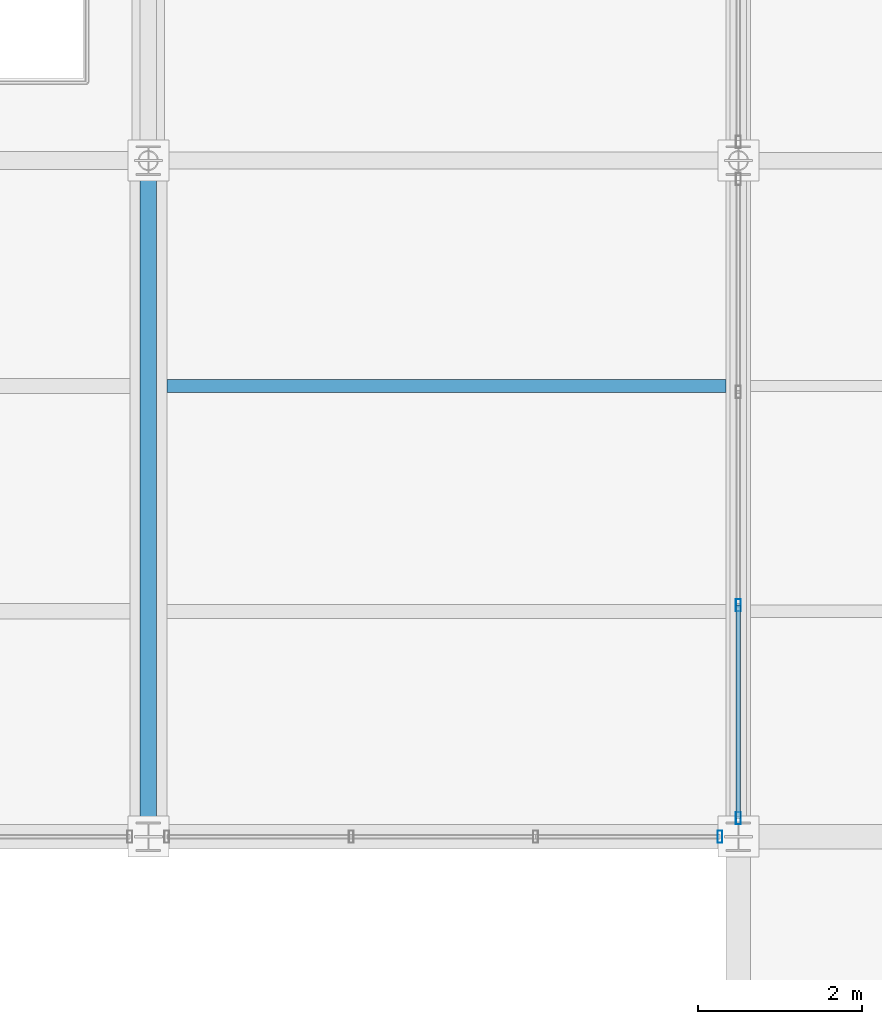
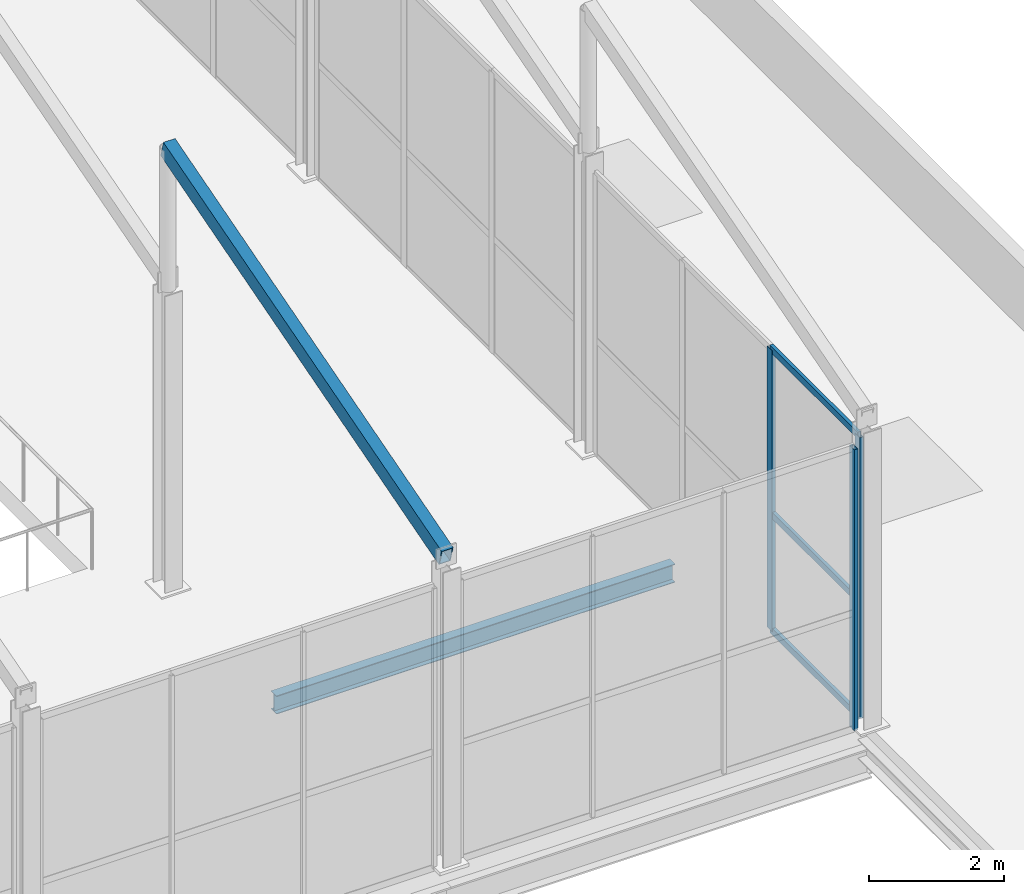
# One storey, part 63 of 141: 7 members, 1 beam, 2 elements without a shape of their own.
"""IFC4 building model written with IfcOpenShell, lengths in metres."""

from ifc_helpers import new_model, si_unit, direction, frame, origin, origin_2d, place, context, subcontext, project, spatial, hollow_rectangle, i_section, extrude, material, layer, layer_set, material_profile, profile_set, type_object, element, aggregate, save


model = new_model("IFC4")

# Units and contexts
model_context = context("Model", 3, precision=1e-05, world=origin(), true_north=direction((0.0, 1.0)))
body_context = subcontext(model_context, "Body", "Model", "MODEL_VIEW")
ifc_project = project(units=[si_unit("LENGTHUNIT", "METRE"), si_unit("AREAUNIT", "SQUARE_METRE"), si_unit("VOLUMEUNIT", "CUBIC_METRE"), si_unit("PLANEANGLEUNIT", "RADIAN"), si_unit("MASSUNIT", "GRAM", prefix="KILO")], contexts=[model_context])

# Site, building, storey
site_placement = place(None, origin())
site = spatial("IfcSite", under=ifc_project, at=site_placement, CompositionType="ELEMENT")
building_placement = place(site_placement, origin())
building = spatial("IfcBuilding", under=site, at=building_placement, Name="Sundgate Opera House", CompositionType="ELEMENT")
storey_placement = place(building_placement, frame((0.0, 0.0, 11.39990234375)))
storey = spatial("IfcBuildingStorey", under=building, at=storey_placement, Name="L02", CompositionType="ELEMENT", Elevation=11.39990234375)

# Beam
ifc_material_1 = material(Name="Steel S355J2", Category="steel")
ifc_material_profile_1 = material_profile(ifc_material_1, i_section(OverallWidth=0.159912109375, OverallDepth=0.330078125, WebThickness=0.007568359375, FlangeThickness=0.011474609375, at=origin_2d()), Name="IPE 330")
ifc_profile_set_1 = profile_set([ifc_material_profile_1], Name="Steel S355J2")
beam_type = type_object("IfcBeamType", Name="BM-JS-IPE330", PredefinedType="JOIST", material=ifc_profile_set_1)
beam_placement = place(storey_placement, frame((146.02490234375, 13.75, -0.514892578125), z_axis=(1.0, 0.0, 0.0), x_axis=(0.0, 1.0, 0.0)))
element("IfcBeam", 1, at=beam_placement, inside=storey, type_object=beam_type, Name="L02 Secondary Floor Joist B2160", PredefinedType="JOIST", context=body_context, shape_type="SweptSolid", body=[
    extrude(i_section(OverallWidth=0.159912109375, OverallDepth=0.330078125, WebThickness=0.007568359375, FlangeThickness=0.011474609375, at=origin_2d()), origin(), (0.0, 0.0, 1.0), 6.8251953125),
])

# Curtain wall, member
ifc_material_2 = material(Name="Anodized aluminium and low-iron glass", Category="aluminium")
ifc_layer = layer(ifc_material_2, 0.14990234375)
ifc_layer_set = layer_set([ifc_layer], Name="Anodized aluminium and low-iron glass")
curtain_wall_type = type_object("IfcCurtainWallType", Name="CW-WORKSHOP-DARK", PredefinedType="NOTDEFINED", material=ifc_layer_set)
curtain_wall_1_placement = place(storey_placement, origin())
curtain_wall_1 = element("IfcCurtainWall", 2, at=curtain_wall_1_placement, inside=storey, type_object=curtain_wall_type, Name="L02 Curtain Wall CW161", PredefinedType="NOTDEFINED")
ifc_material_3 = material(Name="Anodized aluminium EN AW-6063", Category="aluminium")
ifc_material_profile_2 = material_profile(ifc_material_3, hollow_rectangle(XDim=0.06005859375, YDim=0.14990234375, WallThickness=0.00390625, at=origin_2d()), Name="CWM 150x60x4")
ifc_profile_set_2 = profile_set([ifc_material_profile_2], Name="Anodized aluminium EN AW-6063")
member_type_1 = type_object("IfcMemberType", Name="CWM-ALU-150x60", PredefinedType="MULLION", material=ifc_profile_set_2)
member_1_placement = place(storey_placement, frame((152.77490234375, 8.25, 0.0), z_axis=(0.0, 0.0, 1.0), x_axis=(1.0, 0.0, 0.0)))
member_1 = element("IfcMember", 3, at=member_1_placement, type_object=member_type_1, Name="CW161 Mullion 1", PredefinedType="MULLION", context=body_context, shape_type="SweptSolid", body=[
    extrude(hollow_rectangle(XDim=0.06005859375, YDim=0.14990234375, WallThickness=0.00390625, at=origin_2d()), origin(), (0.0, 0.0, 1.0), 5.085205078125),
])
aggregate(curtain_wall_1, [member_1])

# Curtain wall, members
curtain_wall_2_placement = place(storey_placement, origin())
curtain_wall_2 = element("IfcCurtainWall", 4, at=curtain_wall_2_placement, inside=storey, type_object=curtain_wall_type, Name="L02 Curtain Wall CW165", PredefinedType="NOTDEFINED")
member_2_placement = place(storey_placement, frame((153.0, 8.47509765625, 0.0), z_axis=(0.0, 0.0, 1.0), x_axis=(1.0, 0.0, 0.0)))
member_2 = element("IfcMember", 5, at=member_2_placement, type_object=member_type_1, Name="CW165 Mullion 1", PredefinedType="MULLION", context=body_context, shape_type="SweptSolid", body=[
    extrude(hollow_rectangle(XDim=0.06005859375, YDim=0.14990234375, WallThickness=0.00390625, at=origin_2d()), origin(), (0.0, 0.0, 1.0), 5.085205078125),
])
member_3_placement = place(storey_placement, frame((153.0, 11.074951171875, 0.0), z_axis=(0.0, 0.0, 1.0), x_axis=(1.0, 0.0, 0.0)))
member_3 = element("IfcMember", 6, at=member_3_placement, type_object=member_type_1, Name="CW165 Mullion 2", PredefinedType="MULLION", context=body_context, shape_type="SweptSolid", body=[
    extrude(hollow_rectangle(XDim=0.06005859375, YDim=0.14990234375, WallThickness=0.00390625, at=origin_2d()), origin(), (0.0, 0.0, 1.0), 5.085205078125),
])
ifc_material_4 = material(Name="Anodized aluminium EN AW-6063", Category="aluminium")
ifc_material_profile_3 = material_profile(ifc_material_4, hollow_rectangle(XDim=0.054931640625, YDim=0.1201171875, WallThickness=0.00390625, at=origin_2d()), Name="CWT 120x55x4")
ifc_profile_set_3 = profile_set([ifc_material_profile_3], Name="Anodized aluminium EN AW-6063")
member_type_2 = type_object("IfcMemberType", Name="CWT-ALU-120x55", PredefinedType="USERDEFINED", material=ifc_profile_set_3)
member_4_placement = place(storey_placement, frame((153.0, 8.47509765625, 0.0), z_axis=(0.0, 1.0, 0.0), x_axis=(-1.0, 0.0, 0.0)))
member_4 = element("IfcMember", 7, at=member_4_placement, type_object=member_type_2, Name="CW165 Transom 1", ObjectType="TRANSOM", PredefinedType="USERDEFINED", context=body_context, shape_type="SweptSolid", body=[
    extrude(hollow_rectangle(XDim=0.054931640625, YDim=0.1201171875, WallThickness=0.00390625, at=origin_2d()), origin(), (0.0, 0.0, 1.0), 2.599853515625),
])
member_5_placement = place(storey_placement, frame((153.0, 8.47509765625, 2.10009765625), z_axis=(0.0, 1.0, 0.0), x_axis=(-1.0, 0.0, 0.0)))
member_5 = element("IfcMember", 8, at=member_5_placement, type_object=member_type_2, Name="CW165 Transom 2", ObjectType="TRANSOM", PredefinedType="USERDEFINED", context=body_context, shape_type="SweptSolid", body=[
    extrude(hollow_rectangle(XDim=0.054931640625, YDim=0.1201171875, WallThickness=0.00390625, at=origin_2d()), origin(), (0.0, 0.0, 1.0), 2.599853515625),
])
member_6_placement = place(storey_placement, frame((153.0, 8.47509765625, 5.085205078125), z_axis=(0.0, 1.0, 0.0), x_axis=(-1.0, 0.0, 0.0)))
member_6 = element("IfcMember", 9, at=member_6_placement, type_object=member_type_2, Name="CW165 Transom 3", ObjectType="TRANSOM", PredefinedType="USERDEFINED", context=body_context, shape_type="SweptSolid", body=[
    extrude(hollow_rectangle(XDim=0.054931640625, YDim=0.1201171875, WallThickness=0.00390625, at=origin_2d()), origin(), (0.0, 0.0, 1.0), 2.599853515625),
])
aggregate(curtain_wall_2, [member_2, member_3, member_4, member_5, member_6])

# Member
ifc_material_5 = material(Name="Steel S355J2", Category="steel")
ifc_material_profile_4 = material_profile(ifc_material_5, hollow_rectangle(XDim=0.199951171875, YDim=0.300048828125, WallThickness=0.012451171875, at=origin_2d()), Name="RHS 300x200x12.5")
ifc_profile_set_4 = profile_set([ifc_material_profile_4], Name="Steel S355J2")
member_type_3 = type_object("IfcMemberType", Name="MB-CHORD-RHS300", PredefinedType="CHORD", material=ifc_profile_set_4)
member_7_placement = place(storey_placement, frame((145.800048828125, 8.25, 5.550048828125), z_axis=(0.0, 0.96019072379, 0.279345259398), x_axis=(-1.0, 0.0, 0.0)))
element("IfcMember", 10, at=member_7_placement, inside=storey, type_object=member_type_3, Name="L02 Sawtooth Rafter M0395", PredefinedType="CHORD", context=body_context, shape_type="SweptSolid", body=[
    extrude(hollow_rectangle(XDim=0.199951171875, YDim=0.300048828125, WallThickness=0.012451171875, at=origin_2d()), origin(), (0.0, 0.0, 1.0), 8.592041015625),
])

save(model, "model.ifc")
